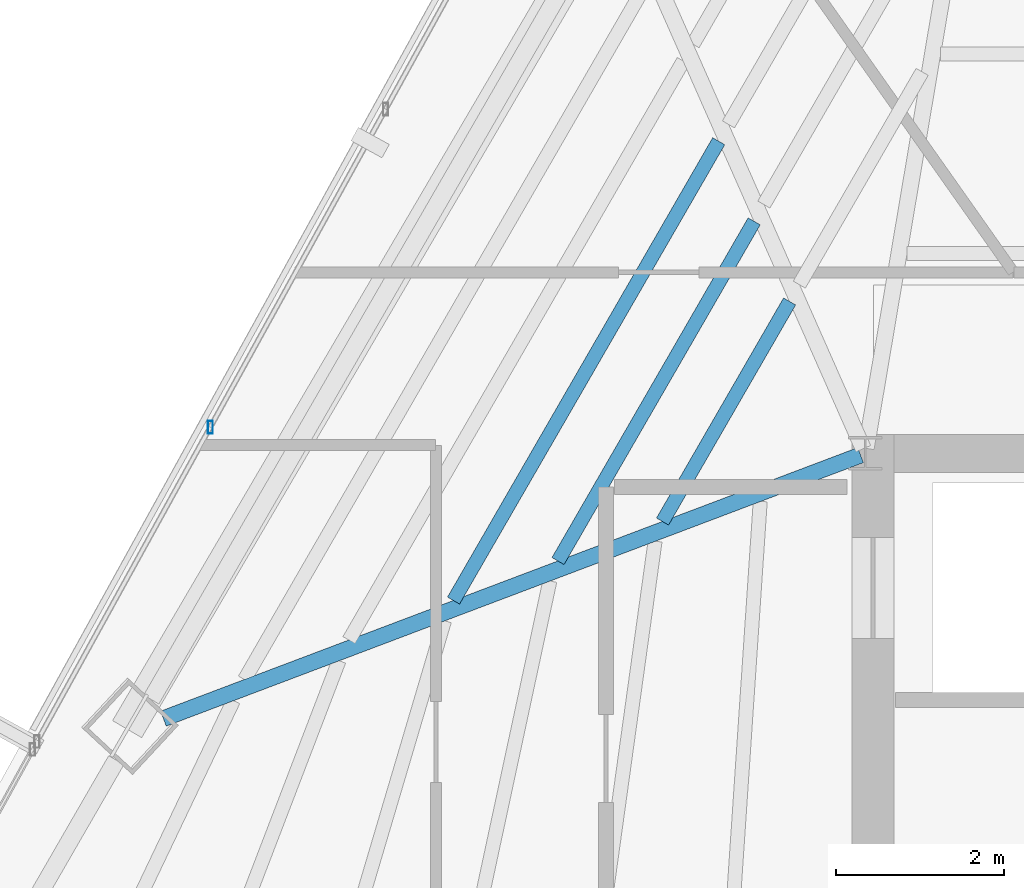
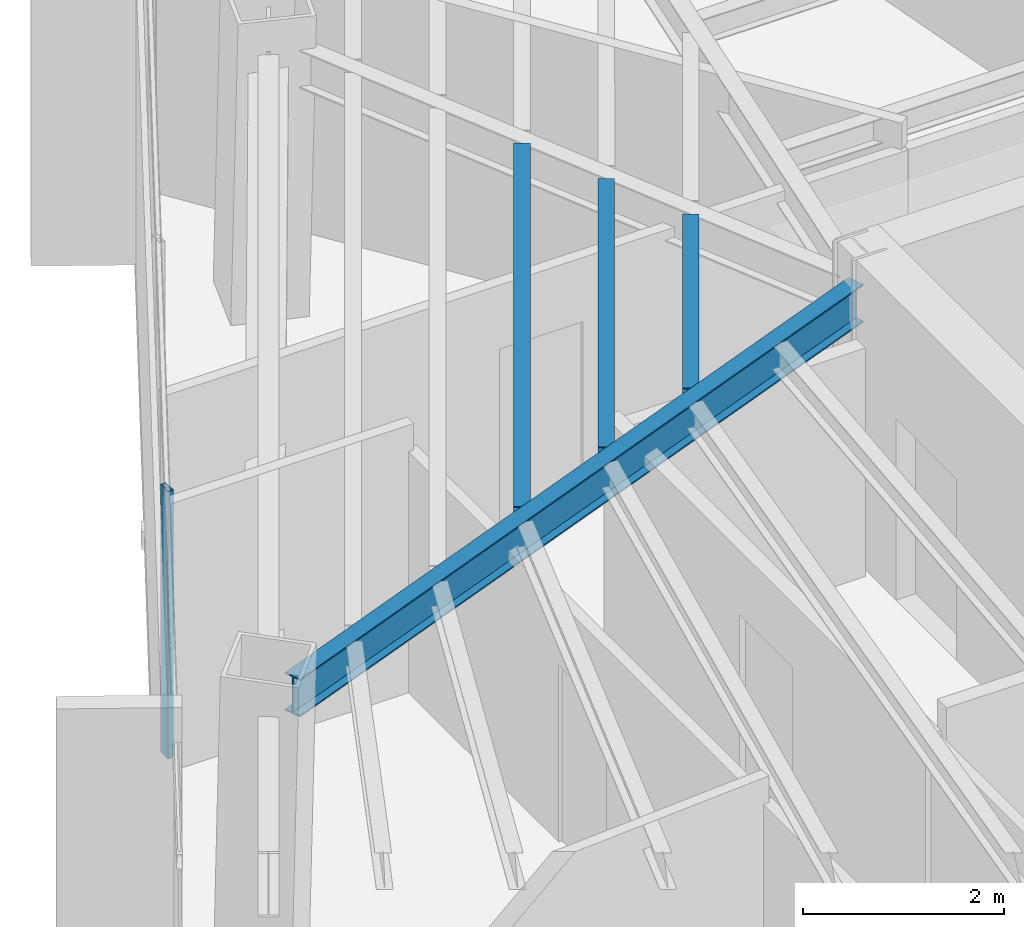
# One storey, part 14 of 40: 4 beams, 1 member, 1 element without a shape of its own.
"""IFC4 building model written with IfcOpenShell, lengths in metres."""

from ifc_helpers import new_model, si_unit, direction, frame, origin, origin_2d, place, context, subcontext, project, spatial, hollow_rectangle, i_section, extrude, source, transform, mapped, material, material_profile, profile_set, type_object, type_shapes, element, aggregate, save


model = new_model("IFC4")

# Units and contexts
model_context = context("Model", 3, precision=1e-05, world=origin(), true_north=direction((0.0, 1.0)))
body_context = subcontext(model_context, "Body", "Model", "MODEL_VIEW")
ifc_project = project(units=[si_unit("LENGTHUNIT", "METRE"), si_unit("AREAUNIT", "SQUARE_METRE"), si_unit("VOLUMEUNIT", "CUBIC_METRE"), si_unit("PLANEANGLEUNIT", "RADIAN"), si_unit("MASSUNIT", "GRAM", prefix="KILO")], contexts=[model_context])

# Site, building, storey
site_placement = place(None, origin())
site = spatial("IfcSite", under=ifc_project, at=site_placement, CompositionType="ELEMENT")
building_placement = place(site_placement, origin())
building = spatial("IfcBuilding", under=site, at=building_placement, Name="Caelisora Broadcast Tower", CompositionType="ELEMENT")
storey_placement = place(building_placement, frame((0.0, 0.0, 216.89990234375)))
storey = spatial("IfcBuildingStorey", under=building, at=storey_placement, Name="L57", CompositionType="ELEMENT", Elevation=216.89990234375)

# Beams
ifc_material_1 = material(Name="Steel Grade 350 (AS/NZS 3679.1)", Category="steel")
ifc_material_profile_1 = material_profile(ifc_material_1, i_section(OverallWidth=0.19091796875, OverallDepth=0.46044921875, WebThickness=0.010009765625, FlangeThickness=0.01611328125, at=origin_2d()), Name="Steel Grade 350 (AS/NZS 3679.1)")
ifc_profile_set_1 = profile_set([ifc_material_profile_1], Name="Steel Grade 350 (AS/NZS 3679.1)")
beam_type_1 = type_object("IfcBeamType", Name="PG06", PredefinedType="BEAM", material=ifc_profile_set_1)
shared_shape_1 = source(origin(), body_context, "Body", "SweptSolid", [
    extrude(i_section(OverallWidth=0.19091796875, OverallDepth=0.46044921875, WebThickness=0.010009765625, FlangeThickness=0.01611328125, at=origin_2d()), origin(), (0.0, 0.0, 1.0), 8.853759765625),
])
type_shapes(beam_type_1, [shared_shape_1])
beam_1_placement = place(storey_placement, frame((30.44384765625, 29.978759765625, 3.02001953125), z_axis=(-0.935389820816, -0.35361827316, 0.0), x_axis=(0.35361827316, -0.935389820816, 0.0)))
element("IfcBeam", 1, at=beam_1_placement, inside=storey, type_object=beam_type_1, Name="L57 beam PG06", PredefinedType="BEAM", context=body_context, shape_type="MappedRepresentation", body=[
    mapped(shared_shape_1, transform((0.0, 0.0, 0.0), scale=1.0)),
])
ifc_material_profile_2 = material_profile(ifc_material_1, i_section(OverallWidth=0.166015625, OverallDepth=0.30712890625, WebThickness=0.006591796875, FlangeThickness=0.01171875, at=origin_2d()), Name="Steel Grade 350 (AS/NZS 3679.1)")
ifc_profile_set_2 = profile_set([ifc_material_profile_2], Name="Steel Grade 350 (AS/NZS 3679.1)")
beam_type_2 = type_object("IfcBeamType", Name="SB03", PredefinedType="JOIST", material=ifc_profile_set_2)
shared_shape_2 = source(origin(), body_context, "Body", "SweptSolid", [
    extrude(i_section(OverallWidth=0.166015625, OverallDepth=0.30712890625, WebThickness=0.006591796875, FlangeThickness=0.01171875, at=origin_2d()), origin(), (0.0, 0.0, 1.0), 3.01904296875),
])
beam_2_placement = place(storey_placement, frame((29.6005859375, 31.803955078125, 3.096435546875), z_axis=(-0.500009459589, -0.866019942219, 0.0), x_axis=(0.866019942219, -0.500009459589, 0.0)))
element("IfcBeam", 2, at=beam_2_placement, inside=storey, type_object=beam_type_2, Name="L57 beam SB03", PredefinedType="JOIST", context=body_context, shape_type="MappedRepresentation", body=[
    mapped(shared_shape_2, transform((0.0, 0.0, 0.0), scale=1.0)),
])
shared_shape_3 = source(origin(), body_context, "Body", "SweptSolid", [
    extrude(i_section(OverallWidth=0.166015625, OverallDepth=0.30712890625, WebThickness=0.006591796875, FlangeThickness=0.01171875, at=origin_2d()), origin(), (0.0, 0.0, 1.0), 4.659912109375),
])
beam_3_placement = place(storey_placement, frame((29.1796875, 32.755859375, 3.096435546875), z_axis=(-0.500015719069, -0.866016328186, 0.0), x_axis=(0.866016328186, -0.500015719069, 0.0)))
element("IfcBeam", 3, at=beam_3_placement, inside=storey, type_object=beam_type_2, Name="L57 beam SB03", PredefinedType="JOIST", context=body_context, shape_type="MappedRepresentation", body=[
    mapped(shared_shape_3, transform((0.0, 0.0, 0.0), scale=1.0)),
])
shared_shape_4 = source(origin(), body_context, "Body", "SweptSolid", [
    extrude(i_section(OverallWidth=0.166015625, OverallDepth=0.30712890625, WebThickness=0.006591796875, FlangeThickness=0.01171875, at=origin_2d()), origin(), (0.0, 0.0, 1.0), 6.301025390625),
])
type_shapes(beam_type_2, [shared_shape_2, shared_shape_3, shared_shape_4])
beam_4_placement = place(storey_placement, frame((28.7587890625, 33.707763671875, 3.096435546875), z_axis=(-0.499972881236, -0.866041060244, 0.0), x_axis=(0.866041060244, -0.499972881236, 0.0)))
element("IfcBeam", 4, at=beam_4_placement, inside=storey, type_object=beam_type_2, Name="L57 beam SB03", PredefinedType="JOIST", context=body_context, shape_type="MappedRepresentation", body=[
    mapped(shared_shape_4, transform((0.0, 0.0, 0.0), scale=1.0)),
])

# Curtain wall, member
ifc_material_2 = material(Name="Unitised Aluminium Insulated Shadow-Box Spandrel Curtain Wall", Category="aluminium")
curtain_wall_type = type_object("IfcCurtainWallType", Name="CW-SP2", PredefinedType="NOTDEFINED", material=ifc_material_2)
curtain_wall_placement = place(storey_placement, origin())
curtain_wall = element("IfcCurtainWall", 5, at=curtain_wall_placement, inside=storey, type_object=curtain_wall_type, Name="L57 curtain wall CW-SP2", PredefinedType="NOTDEFINED")
ifc_material_3 = material(Name="Aluminium 6063-T6 Anodised Terracotta Bronze", Category="aluminium")
ifc_material_profile_3 = material_profile(ifc_material_3, hollow_rectangle(XDim=0.06005859375, YDim=0.14990234375, WallThickness=0.00341796875, at=origin_2d()), Name="Aluminium 6063-T6 Anodised Terracotta Bronze")
ifc_profile_set_3 = profile_set([ifc_material_profile_3], Name="Aluminium 6063-T6 Anodised Terracotta Bronze")
member_type = type_object("IfcMemberType", Name="CWM-03", PredefinedType="MULLION", material=ifc_profile_set_3)
shared_shape_5 = source(origin(), body_context, "Body", "SweptSolid", [
    extrude(hollow_rectangle(XDim=0.06005859375, YDim=0.14990234375, WallThickness=0.00341796875, at=origin_2d()), origin(), (0.0, 0.0, 1.0), 3.25),
])
type_shapes(member_type, [shared_shape_5])
member_placement = place(storey_placement, frame((22.718994140625, 30.309814453125, 0.0), z_axis=(0.0, 0.0, 1.0), x_axis=(1.0, 0.0, 0.0)))
member = element("IfcMember", 6, at=member_placement, type_object=member_type, Name="L57-CW-B10 mullion #1", PredefinedType="MULLION", context=body_context, shape_type="MappedRepresentation", body=[
    mapped(shared_shape_5, transform((0.0, 0.0, 0.0), scale=1.0)),
])
aggregate(curtain_wall, [member])

save(model, "model.ifc")
